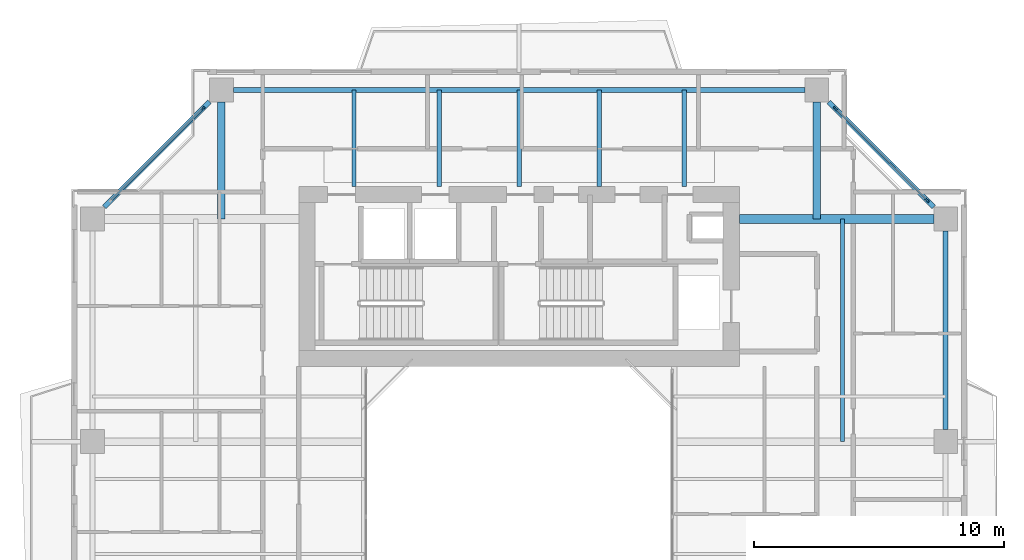
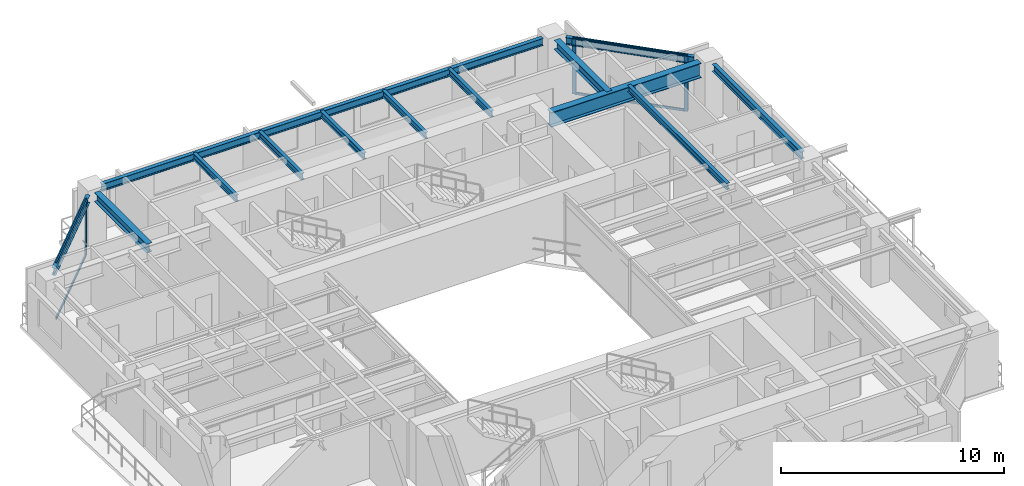
# One storey, part 9 of 18: 13 beams, 7 members, 2 elements without a shape of their own.
"""IFC4 building model written with IfcOpenShell, lengths in metres."""

import ifcopenshell
import ifcopenshell.guid

model = None  # the IFC model being written
_history = None  # IfcOwnerHistory: only IFC2X3 demands one
_inside = {}  # id of a spatial element -> (the spatial element, [elements in it])
_under = {}  # id of a project, library or spatial element -> (it, [spatial elements below it])
_declared = {}  # id of a project -> (the project, [libraries it declares])
_typed = {}  # id of a type object -> (the type object, [elements of that type])
_made_of = {}  # id of a material, layer set ... -> (it, [elements and type objects made of it])


def new_model(schema):
    """Start an empty IFC model of exactly this schema.

    Asked for "IFC4X3", IfcOpenShell would pick the latest addendum, in which some entities
    have other attributes; the version numbers below select the first issue.
    IFC2X3 requires an IfcOwnerHistory on every rooted entity: one is made here for all.
    """
    global model, _history
    if schema == "IFC4X3":
        model = ifcopenshell.file(schema_version=(4, 3, 0, 0))
    else:
        model = ifcopenshell.file(schema=schema)
    _inside.clear()
    _under.clear()
    _declared.clear()
    _typed.clear()
    _made_of.clear()
    _history = None
    if model.schema == "IFC2X3":
        org = make("IfcOrganization", Name="unknown")
        user = make(
            "IfcPersonAndOrganization",
            ThePerson=make("IfcPerson", FamilyName="unknown"),
            TheOrganization=org,
        )
        app = make(
            "IfcApplication",
            ApplicationDeveloper=org,
            Version="unknown",
            ApplicationFullName="unknown",
            ApplicationIdentifier="unknown",
        )
        _history = make(
            "IfcOwnerHistory",
            OwningUser=user,
            OwningApplication=app,
            ChangeAction="ADDED",
            CreationDate=0,
        )
    return model


def make(cls, **values):
    """One entity of the class cls with the attributes given. An attribute that is None is left unset."""
    return model.create_entity(
        cls, **{name: value for name, value in values.items() if value is not None}
    )


def rooted(cls, **values):
    """An entity with a GlobalId (a new one), such as an element, a storey or a relation."""
    return make(cls, GlobalId=ifcopenshell.guid.new(), OwnerHistory=_history, **values)


def si_unit(unit_type, name, prefix=None):
    """IfcSIUnit, for example si_unit("LENGTHUNIT", "METRE", prefix="MILLI")."""
    return make("IfcSIUnit", UnitType=unit_type, Prefix=prefix, Name=name)


def assignment(units):
    """IfcUnitAssignment: the units of a project."""
    return None if units is None else make("IfcUnitAssignment", Units=units)


def point(xyz):
    """IfcCartesianPoint."""
    return None if xyz is None else make("IfcCartesianPoint", Coordinates=xyz)


def direction(xyz):
    """IfcDirection."""
    return None if xyz is None else make("IfcDirection", DirectionRatios=xyz)


def frame(location, z_axis=None, x_axis=None):
    """IfcAxis2Placement3D, a coordinate frame: its origin and axes. An axis left out is left unset."""
    return make(
        "IfcAxis2Placement3D",
        Location=point(location),
        Axis=direction(z_axis),
        RefDirection=direction(x_axis),
    )


def frame_2d(location, x_axis=None):
    """IfcAxis2Placement2D, a coordinate frame in the plane: its origin and x axis."""
    return make(
        "IfcAxis2Placement2D", Location=point(location), RefDirection=direction(x_axis)
    )


def origin():
    """The frame at (0, 0, 0) with its axes left unset."""
    return frame((0.0, 0.0, 0.0))


def origin_2d():
    """The frame at (0, 0) in the plane with its x axis left unset."""
    return frame_2d((0.0, 0.0))


def place(relative_to, where):
    """IfcLocalPlacement: puts the frame where relative to a parent placement (None: the world)."""
    return make(
        "IfcLocalPlacement", PlacementRelTo=relative_to, RelativePlacement=where
    )


def context(
    kind, dimensions, precision=None, world=None, true_north=None, identifier=None
):
    """IfcGeometricRepresentationContext, for example the 3D "Model" context."""
    return make(
        "IfcGeometricRepresentationContext",
        ContextIdentifier=identifier,
        ContextType=kind,
        CoordinateSpaceDimension=dimensions,
        Precision=precision,
        WorldCoordinateSystem=world,
        TrueNorth=true_north,
    )


def subcontext(parent, identifier, kind, view, scale=None):
    """IfcGeometricRepresentationSubContext, for example "Body" below "Model"."""
    return make(
        "IfcGeometricRepresentationSubContext",
        ContextIdentifier=identifier,
        ContextType=kind,
        ParentContext=parent,
        TargetScale=scale,
        TargetView=view,
    )


def project(units=None, contexts=None):
    """IfcProject with its units and contexts."""
    return rooted(
        "IfcProject",
        Name="project",
        RepresentationContexts=contexts,
        UnitsInContext=assignment(units),
    )


def spatial(cls, under=None, at=None, **own):
    """A site, building, storey or space (cls), placed at a placement, below another one or the project."""
    s = rooted(cls, ObjectPlacement=at, **own)
    if under is not None:
        _under.setdefault(under.id(), (under, []))[1].append(s)
    return s


def profile(cls, at=None, kind="AREA", **sizes):
    """A parametric profile (cls). Its sizes go by their IFC names, for example OverallWidth=200.0."""
    return make(cls, ProfileType=kind, Position=at, **sizes)


def rectangle(**sizes):
    """IfcRectangleProfileDef."""
    return profile("IfcRectangleProfileDef", **sizes)


def i_section(**sizes):
    """IfcIShapeProfileDef."""
    return profile("IfcIShapeProfileDef", **sizes)


def extrude(swept, where, along, depth):
    """IfcExtrudedAreaSolid: the profile swept, set in the frame where, extruded along a direction by depth."""
    return make(
        "IfcExtrudedAreaSolid",
        SweptArea=swept,
        Position=where,
        ExtrudedDirection=direction(along),
        Depth=depth,
    )


def shape(context_of_items, identifier, shape_type, items):
    """IfcShapeRepresentation: the items that make up one representation, for example the "Body"."""
    return make(
        "IfcShapeRepresentation",
        ContextOfItems=context_of_items,
        RepresentationIdentifier=identifier,
        RepresentationType=shape_type,
        Items=items,
    )


def source(mapping_origin, context_of_items, identifier, shape_type, items):
    """IfcRepresentationMap: a shape defined once, which mapped items show again and again."""
    return make(
        "IfcRepresentationMap",
        MappingOrigin=mapping_origin,
        MappedRepresentation=shape(context_of_items, identifier, shape_type, items),
    )


def transform(
    local_origin,
    x_axis=None,
    y_axis=None,
    z_axis=None,
    scale=None,
    scale2=None,
    scale3=None,
    uniform=True,
):
    """IfcCartesianTransformationOperator3D, or its non-uniform kind. x_axis, y_axis, z_axis: its Axis1, 2, 3."""
    if uniform:
        return make(
            "IfcCartesianTransformationOperator3D",
            Axis1=direction(x_axis),
            Axis2=direction(y_axis),
            LocalOrigin=point(local_origin),
            Scale=scale,
            Axis3=direction(z_axis),
        )
    return make(
        "IfcCartesianTransformationOperator3DnonUniform",
        Axis1=direction(x_axis),
        Axis2=direction(y_axis),
        LocalOrigin=point(local_origin),
        Scale=scale,
        Axis3=direction(z_axis),
        Scale2=scale2,
        Scale3=scale3,
    )


def mapped(mapping_source, mapping_target):
    """IfcMappedItem: shows the shape of a source again, moved by a transform."""
    return make(
        "IfcMappedItem", MappingSource=mapping_source, MappingTarget=mapping_target
    )


def material(Name=None, Category=None):
    """IfcMaterial."""
    return make("IfcMaterial", Name=Name, Category=Category)


def layer(
    of_material, thickness, ventilated=None, Name=None, Category=None, Priority=None
):
    """IfcMaterialLayer: one layer of a wall or slab, of a material (None: an air gap)."""
    return make(
        "IfcMaterialLayer",
        Material=of_material,
        LayerThickness=thickness,
        IsVentilated=ventilated,
        Name=Name,
        Category=Category,
        Priority=Priority,
    )


def layer_set(layers, Name=None):
    """IfcMaterialLayerSet."""
    return make("IfcMaterialLayerSet", MaterialLayers=layers, LayerSetName=Name)


def material_profile(
    of_material, cross_section, Name=None, Category=None, Priority=None
):
    """IfcMaterialProfile: a cross section and its material."""
    return make(
        "IfcMaterialProfile",
        Name=Name,
        Material=of_material,
        Profile=cross_section,
        Priority=Priority,
        Category=Category,
    )


def profile_set(profiles, Name=None, composite=None):
    """IfcMaterialProfileSet."""
    return make(
        "IfcMaterialProfileSet",
        Name=Name,
        MaterialProfiles=profiles,
        CompositeProfile=composite,
    )


def made_of(thing, what):
    """Note that an element or type object is made of a material, layer set ...; save() writes the relation."""
    if what is not None:
        _made_of.setdefault(what.id(), (what, []))[1].append(thing)
    return thing


def type_object(cls, material=None, **own):
    """A type object (cls), such as IfcWallType, which elements share."""
    return made_of(rooted(cls, **own), material)


def element(
    cls,
    number,
    at=None,
    inside=None,
    cuts=None,
    type_object=None,
    material=None,
    context=None,
    identifier="Body",
    shape_type=None,
    held_by="IfcProductDefinitionShape",
    body=None,
    shapes=None,
    **own,
):
    """One element of the class cls, such as IfcWall. Its Tag is "e" and its number.

    at: its placement. inside: the storey or other place that contains it. cuts: it is an
    opening in that element (IfcRelVoidsElement). A single representation is given by context,
    identifier, shape_type and body (its items); several are given by shapes. held_by: the class
    of the entity that holds the representations. save() writes the other relations.
    """
    e = rooted(cls, Tag="e%d" % number, ObjectPlacement=at, **own)
    if body is not None:
        shapes = [shape(context, identifier, shape_type, body)]
    if shapes is not None:
        e.Representation = make(held_by, Representations=shapes)
    if inside is not None:
        _inside.setdefault(inside.id(), (inside, []))[1].append(e)
    if cuts is not None:
        rooted(
            "IfcRelVoidsElement", RelatingBuildingElement=cuts, RelatedOpeningElement=e
        )
    if type_object is not None:
        _typed.setdefault(type_object.id(), (type_object, []))[1].append(e)
    return made_of(e, material)


def aggregate(whole, parts):
    """IfcRelAggregates: a whole, such as a stair, and the parts it consists of."""
    return rooted("IfcRelAggregates", RelatingObject=whole, RelatedObjects=parts)


def save(model, path):
    """Write the relations noted so far, then the file.

    IfcRelAggregates (storeys below a building ...), IfcRelContainedInSpatialStructure (elements
    in a storey), IfcRelDefinesByType, IfcRelAssociatesMaterial and IfcRelDeclares: one each for
    every whole, place, type object, material and project.
    """
    for whole, parts in _under.values():
        aggregate(whole, parts)
    for where, things in _inside.values():
        rooted(
            "IfcRelContainedInSpatialStructure",
            RelatedElements=things,
            RelatingStructure=where,
        )
    for kind, things in _typed.values():
        rooted("IfcRelDefinesByType", RelatedObjects=things, RelatingType=kind)
    for what, things in _made_of.values():
        rooted("IfcRelAssociatesMaterial", RelatedObjects=things, RelatingMaterial=what)
    for by, libraries in _declared.values():
        rooted("IfcRelDeclares", RelatingContext=by, RelatedDefinitions=libraries)
    model.write(path)


model = new_model("IFC4")

# Units and contexts
model_context = context("Model", 3, precision=1e-05, world=origin(), true_north=direction((0.0, 1.0)))
body_context = subcontext(model_context, "Body", "Model", "MODEL_VIEW")
ifc_project = project(units=[si_unit("LENGTHUNIT", "METRE"), si_unit("AREAUNIT", "SQUARE_METRE"), si_unit("VOLUMEUNIT", "CUBIC_METRE"), si_unit("PLANEANGLEUNIT", "RADIAN"), si_unit("MASSUNIT", "GRAM", prefix="KILO"), si_unit("THERMODYNAMICTEMPERATUREUNIT", "KELVIN"), si_unit("POWERUNIT", "WATT")], contexts=[model_context])

# Site, building, storey
site_placement = place(None, origin())
site = spatial("IfcSite", under=ifc_project, at=site_placement, CompositionType="ELEMENT")
building_placement = place(site_placement, origin())
building = spatial("IfcBuilding", under=site, at=building_placement, Name="Qiaomeng Ring Towers", CompositionType="ELEMENT")
storey_placement = place(building_placement, frame((0.0, 0.0, 147.0)))
storey = spatial("IfcBuildingStorey", under=building, at=storey_placement, Name="L42", CompositionType="ELEMENT", Elevation=147.0)

# Beams
ifc_material_1 = material(Name="Steel Q355B", Category="steel")
ifc_material_profile_1 = material_profile(ifc_material_1, i_section(OverallWidth=0.175048828125, OverallDepth=0.35009765625, WebThickness=0.007080078125, FlangeThickness=0.010986328125, FilletRadius=0.013916015625, at=origin_2d()), Name="HN 350x175x7x11")
ifc_profile_set_1 = profile_set([ifc_material_profile_1], Name="Steel Q355B")
beam_type_1 = type_object("IfcBeamType", Name="STR-BM-HN350", PredefinedType="JOIST", material=ifc_profile_set_1)
shared_shape_1 = source(origin(), body_context, "Body", "SweptSolid", [
    extrude(i_section(OverallWidth=0.175048828125, OverallDepth=0.35009765625, WebThickness=0.007080078125, FlangeThickness=0.010986328125, FilletRadius=0.013916015625, at=origin_2d()), origin(), (0.0, 0.0, 1.0), 3.85009765625),
])
for number, where, z_axis, x_axis, name in (
    (1, (12.39990234375, 36.199951171875, 2.89501953125), (0.0, 1.0, 0.0), (-1.0, 0.0, 0.0), "L42 beam STR-JST-L42-T1N-1"),
    (2, (15.800048828125, 36.199951171875, 2.89501953125), (0.0, 1.0, 0.0), (-1.0, 0.0, 0.0), "L42 beam STR-JST-L42-T1N-2"),
    (3, (19.0, 36.199951171875, 2.89501953125), (0.0, 1.0, 0.0), (-1.0, 0.0, 0.0), "L42 beam STR-JST-L42-T1N-3"),
    (4, (22.199951171875, 36.199951171875, 2.89501953125), (0.0, 1.0, 0.0), (-1.0, 0.0, 0.0), "L42 beam STR-JST-L42-T1N-4"),
    (5, (25.60009765625, 36.199951171875, 2.89501953125), (0.0, 1.0, 0.0), (-1.0, 0.0, 0.0), "L42 beam STR-JST-L42-T1N-5"),
):
    element("IfcBeam", number, at=place(storey_placement, frame(where, z_axis=z_axis, x_axis=x_axis)), inside=storey, type_object=beam_type_1, Name=name, PredefinedType="JOIST", context=body_context, shape_type="MappedRepresentation", body=[
        mapped(shared_shape_1, transform((0.0, 0.0, 0.0), x_axis=(1.0, 0.0, 0.0), y_axis=(0.0, 1.0, 0.0), z_axis=(0.0, 0.0, 1.0), scale=1.0)),
    ])
shared_shape_2 = source(origin(), body_context, "Body", "SweptSolid", [
    extrude(i_section(OverallWidth=0.175048828125, OverallDepth=0.35009765625, WebThickness=0.007080078125, FlangeThickness=0.010986328125, FilletRadius=0.013916015625, at=origin_2d()), origin(), (0.0, 0.0, 1.0), 8.89990234375),
])
beam_1_placement = place(storey_placement, frame((31.925048828125, 26.0, 2.89501953125), z_axis=(0.0, 1.0, 0.0), x_axis=(-1.0, 0.0, 0.0)))
element("IfcBeam", 6, at=beam_1_placement, inside=storey, type_object=beam_type_1, Name="L42 beam STR-JST-L42-T1C-EN", PredefinedType="JOIST", context=body_context, shape_type="MappedRepresentation", body=[
    mapped(shared_shape_2, transform((0.0, 0.0, 0.0), x_axis=(1.0, 0.0, 0.0), y_axis=(0.0, 1.0, 0.0), z_axis=(0.0, 0.0, 1.0), scale=1.0)),
])
ifc_material_profile_2 = material_profile(ifc_material_1, i_section(OverallWidth=0.199951171875, OverallDepth=0.39990234375, WebThickness=0.008056640625, FlangeThickness=0.012939453125, FilletRadius=0.01611328125, at=origin_2d()), Name="HN 400x200x8x13")
ifc_profile_set_2 = profile_set([ifc_material_profile_2], Name="Steel Q355B")
beam_type_2 = type_object("IfcBeamType", Name="STR-BM-HN400", PredefinedType="SPANDREL", material=ifc_profile_set_2)
shared_shape_3 = source(origin(), body_context, "Body", "SweptSolid", [
    extrude(i_section(OverallWidth=0.199951171875, OverallDepth=0.39990234375, WebThickness=0.008056640625, FlangeThickness=0.012939453125, FilletRadius=0.01611328125, at=origin_2d()), origin(), (0.0, 0.0, 1.0), 22.85205078125),
])
beam_2_placement = place(storey_placement, frame((30.426025390625, 40.050048828125, 2.8701171875), z_axis=(-1.0, 0.0, 0.0), x_axis=(0.0, -1.0, 0.0)))
element("IfcBeam", 7, at=beam_2_placement, inside=storey, type_object=beam_type_2, Name="L42 beam STR-SP-L42-T1-N2-N1", PredefinedType="SPANDREL", context=body_context, shape_type="MappedRepresentation", body=[
    mapped(shared_shape_3, transform((0.0, 0.0, 0.0), x_axis=(1.0, 0.0, 0.0), y_axis=(0.0, 1.0, 0.0), z_axis=(0.0, 0.0, 1.0), scale=1.0)),
])
shared_shape_4 = source(origin(), body_context, "Body", "SweptSolid", [
    extrude(i_section(OverallWidth=0.199951171875, OverallDepth=0.39990234375, WebThickness=0.008056640625, FlangeThickness=0.012939453125, FilletRadius=0.01611328125, at=origin_2d()), origin(), (0.0, 0.0, 1.0), 5.941650390625),
])
for number, where, z_axis, x_axis, name in (
    (8, (35.57568359375, 35.374267578125, 2.8701171875), (-0.707106781187, 0.707106781187, 0.0), (-0.707106781187, -0.707106781187, 0.0), "L42 beam STR-SP-L42-T1-E4-N2"),
    (9, (6.625732421875, 39.57568359375, 2.8701171875), (-0.707106781187, -0.707106781187, 0.0), (0.707106781187, -0.707106781187, 0.0), "L42 beam STR-SP-L42-T1-N1-W4"),
):
    element("IfcBeam", number, at=place(storey_placement, frame(where, z_axis=z_axis, x_axis=x_axis)), inside=storey, type_object=beam_type_2, Name=name, PredefinedType="SPANDREL", context=body_context, shape_type="MappedRepresentation", body=[
        mapped(shared_shape_4, transform((0.0, 0.0, 0.0), x_axis=(1.0, 0.0, 0.0), y_axis=(0.0, 1.0, 0.0), z_axis=(0.0, 0.0, 1.0), scale=1.0)),
    ])
shared_shape_5 = source(origin(), body_context, "Body", "SweptSolid", [
    extrude(i_section(OverallWidth=0.199951171875, OverallDepth=0.39990234375, WebThickness=0.008056640625, FlangeThickness=0.012939453125, FilletRadius=0.01611328125, at=origin_2d()), origin(), (0.0, 0.0, 1.0), 7.951904296875),
])
beam_3_placement = place(storey_placement, frame((36.050048828125, 26.47412109375, 2.8701171875), z_axis=(0.0, 1.0, 0.0), x_axis=(-1.0, 0.0, 0.0)))
element("IfcBeam", 10, at=beam_3_placement, inside=storey, type_object=beam_type_2, Name="L42 beam STR-SP-L42-T1-E3-E4", PredefinedType="SPANDREL", context=body_context, shape_type="MappedRepresentation", body=[
    mapped(shared_shape_5, transform((0.0, 0.0, 0.0), x_axis=(1.0, 0.0, 0.0), y_axis=(0.0, 1.0, 0.0), z_axis=(0.0, 0.0, 1.0), scale=1.0)),
])
ifc_material_2 = material(Name="Steel Q390GJC", Category="steel")
ifc_material_profile_3 = material_profile(ifc_material_2, i_section(OverallWidth=0.35009765625, OverallDepth=0.800048828125, WebThickness=0.01611328125, FlangeThickness=0.028076171875, at=origin_2d()), Name="WH 800x350x16x28")
ifc_profile_set_3 = profile_set([ifc_material_profile_3], Name="Steel Q390GJC")
beam_type_3 = type_object("IfcBeamType", Name="STR-BM-WH800", PredefinedType="BEAM", material=ifc_profile_set_3)
shared_shape_6 = source(origin(), body_context, "Body", "SweptSolid", [
    extrude(i_section(OverallWidth=0.35009765625, OverallDepth=0.800048828125, WebThickness=0.01611328125, FlangeThickness=0.028076171875, at=origin_2d()), origin(), (0.0, 0.0, 1.0), 7.77587890625),
])
beam_4_placement = place(storey_placement, frame((27.800048828125, 34.89990234375, 2.669921875), z_axis=(1.0, 0.0, 0.0), x_axis=(0.0, 1.0, 0.0)))
element("IfcBeam", 11, at=beam_4_placement, inside=storey, type_object=beam_type_3, Name="L42 beam STR-BM-L42-T1-RAD-E4", PredefinedType="BEAM", context=body_context, shape_type="MappedRepresentation", body=[
    mapped(shared_shape_6, transform((0.0, 0.0, 0.0), x_axis=(1.0, 0.0, 0.0), y_axis=(0.0, 1.0, 0.0), z_axis=(0.0, 0.0, 1.0), scale=1.0)),
])
ifc_material_profile_4 = material_profile(ifc_material_1, i_section(OverallWidth=0.300048828125, OverallDepth=0.488037109375, WebThickness=0.010986328125, FlangeThickness=0.01806640625, FilletRadius=0.02587890625, at=origin_2d()), Name="HM 488x300x11x18")
ifc_profile_set_4 = profile_set([ifc_material_profile_4], Name="Steel Q355B")
beam_type_4 = type_object("IfcBeamType", Name="STR-BM-HM488", PredefinedType="BEAM", material=ifc_profile_set_4)
shared_shape_7 = source(origin(), body_context, "Body", "SweptSolid", [
    extrude(i_section(OverallWidth=0.300048828125, OverallDepth=0.488037109375, WebThickness=0.010986328125, FlangeThickness=0.01806640625, FilletRadius=0.02587890625, at=origin_2d()), origin(), (0.0, 0.0, 1.0), 4.676025390625),
])
for number, where, z_axis, x_axis, name in (
    (12, (7.10009765625, 39.575927734375, 2.825927734375), (0.0, -1.0, 0.0), (1.0, 0.0, 0.0), "L42 beam STR-BM-L42-T1-RAD-N1"),
    (13, (30.89990234375, 39.575927734375, 2.825927734375), (0.0, -1.0, 0.0), (1.0, 0.0, 0.0), "L42 beam STR-BM-L42-T1-RAD-N2"),
):
    element("IfcBeam", number, at=place(storey_placement, frame(where, z_axis=z_axis, x_axis=x_axis)), inside=storey, type_object=beam_type_4, Name=name, PredefinedType="BEAM", context=body_context, shape_type="MappedRepresentation", body=[
        mapped(shared_shape_7, transform((0.0, 0.0, 0.0), x_axis=(1.0, 0.0, 0.0), y_axis=(0.0, 1.0, 0.0), z_axis=(0.0, 0.0, 1.0), scale=1.0)),
    ])

# Curtain wall, members
ifc_material_3 = material(Name="Fluorocarbon dark-grey aluminium", Category="aluminium")
ifc_layer = layer(ifc_material_3, 0.14990234375, Name="Fluorocarbon dark-grey aluminium")
ifc_layer_set = layer_set([ifc_layer], Name="Fluorocarbon dark-grey aluminium")
curtain_wall_type = type_object("IfcCurtainWallType", Name="ARC-CW-3", PredefinedType="NOTDEFINED", material=ifc_layer_set)
curtain_wall_1_placement = place(storey_placement, origin())
curtain_wall_1 = element("IfcCurtainWall", 14, at=curtain_wall_1_placement, inside=storey, type_object=curtain_wall_type, Name="L42 Curtain Wall CW3", PredefinedType="NOTDEFINED")
ifc_material_profile_5 = material_profile(ifc_material_3, rectangle(XDim=0.070068359375, YDim=0.179931640625, at=origin_2d()), Name="ALU MULL 70x180")
ifc_profile_set_5 = profile_set([ifc_material_profile_5], Name="Fluorocarbon dark-grey aluminium")
member_type_1 = type_object("IfcMemberType", Name="ARC-CWM-160", PredefinedType="MULLION", material=ifc_profile_set_5)
shared_shape_8 = source(origin(), body_context, "Body", "SweptSolid", [
    extrude(rectangle(XDim=0.070068359375, YDim=0.179931640625, at=origin_2d()), origin(), (0.0, 0.0, 1.0), 3.070068359375),
])
member_1_placement = place(storey_placement, frame((35.310302734375, 35.6396484375, 0.0), z_axis=(0.0, 0.0, 1.0), x_axis=(-0.707106781187, -0.707106781187, 0.0)))
member_1 = element("IfcMember", 15, at=member_1_placement, type_object=member_type_1, Name="CW3 mullion 1", PredefinedType="MULLION", context=body_context, shape_type="MappedRepresentation", body=[
    mapped(shared_shape_8, transform((0.0, 0.0, 0.0), x_axis=(1.0, 0.0, 0.0), y_axis=(0.0, 1.0, 0.0), z_axis=(0.0, 0.0, 1.0), scale=1.0)),
])
member_2_placement = place(storey_placement, frame((31.6396484375, 39.310302734375, 0.0), z_axis=(0.0, 0.0, 1.0), x_axis=(-0.707106781187, -0.707106781187, 0.0)))
member_2 = element("IfcMember", 16, at=member_2_placement, type_object=member_type_1, Name="CW3 mullion 2", PredefinedType="MULLION", context=body_context, shape_type="MappedRepresentation", body=[
    mapped(shared_shape_8, transform((0.0, 0.0, 0.0), x_axis=(1.0, 0.0, 0.0), y_axis=(0.0, 1.0, 0.0), z_axis=(0.0, 0.0, 1.0), scale=1.0)),
])

# Curtain wall, member
curtain_wall_2_placement = place(storey_placement, origin())
curtain_wall_2 = element("IfcCurtainWall", 17, at=curtain_wall_2_placement, inside=storey, type_object=curtain_wall_type, Name="L42 Curtain Wall CW3", PredefinedType="NOTDEFINED")
member_3_placement = place(storey_placement, frame((6.3603515625, 39.310302734375, 0.0), z_axis=(0.0, 0.0, 1.0), x_axis=(0.707106781187, -0.707106781187, 0.0)))
member_3 = element("IfcMember", 18, at=member_3_placement, type_object=member_type_1, Name="CW3 mullion 1", PredefinedType="MULLION", context=body_context, shape_type="MappedRepresentation", body=[
    mapped(shared_shape_8, transform((0.0, 0.0, 0.0), x_axis=(1.0, 0.0, 0.0), y_axis=(0.0, 1.0, 0.0), z_axis=(0.0, 0.0, 1.0), scale=1.0)),
])

# Member
ifc_material_profile_6 = material_profile(ifc_material_3, rectangle(XDim=0.06494140625, YDim=0.1298828125, at=origin_2d()), Name="ALU TRAN 65x130")
ifc_profile_set_6 = profile_set([ifc_material_profile_6], Name="Fluorocarbon dark-grey aluminium")
member_type_2 = type_object("IfcMemberType", Name="ARC-CWT-120", PredefinedType="USERDEFINED", material=ifc_profile_set_6)
shared_shape_9 = source(origin(), body_context, "Body", "SweptSolid", [
    extrude(rectangle(XDim=0.06494140625, YDim=0.1298828125, at=origin_2d()), origin(), (0.0, 0.0, 1.0), 5.12060546875),
])
member_4_placement = place(storey_placement, frame((35.285400390625, 35.66455078125, 0.032470703125), z_axis=(-0.707106781187, 0.707106781187, 0.0), x_axis=(-0.707106781187, -0.707106781187, 0.0)))
member_4 = element("IfcMember", 19, at=member_4_placement, type_object=member_type_2, Name="CW3 transom 1.1", ObjectType="TRANSOM", PredefinedType="USERDEFINED", context=body_context, shape_type="MappedRepresentation", body=[
    mapped(shared_shape_9, transform((0.0, 0.0, 0.0), x_axis=(1.0, 0.0, 0.0), y_axis=(0.0, 1.0, 0.0), z_axis=(0.0, 0.0, 1.0), scale=1.0)),
])

member_5_placement = place(storey_placement, frame((35.285400390625, 35.66455078125, 3.03759765625), z_axis=(-0.707106781187, 0.707106781187, 0.0), x_axis=(-0.707106781187, -0.707106781187, 0.0)))
member_5 = element("IfcMember", 20, at=member_5_placement, type_object=member_type_2, Name="CW3 transom 1.2", ObjectType="TRANSOM", PredefinedType="USERDEFINED", context=body_context, shape_type="MappedRepresentation", body=[
    mapped(shared_shape_9, transform((0.0, 0.0, 0.0), x_axis=(1.0, 0.0, 0.0), y_axis=(0.0, 1.0, 0.0), z_axis=(0.0, 0.0, 1.0), scale=1.0)),
])

aggregate(curtain_wall_1, [member_1, member_2, member_4, member_5])

member_6_placement = place(storey_placement, frame((6.33544921875, 39.285400390625, 0.032470703125), z_axis=(-0.707106781187, -0.707106781187, 0.0), x_axis=(0.707106781187, -0.707106781187, 0.0)))
member_6 = element("IfcMember", 21, at=member_6_placement, type_object=member_type_2, Name="CW3 transom 1.1", ObjectType="TRANSOM", PredefinedType="USERDEFINED", context=body_context, shape_type="MappedRepresentation", body=[
    mapped(shared_shape_9, transform((0.0, 0.0, 0.0), x_axis=(1.0, 0.0, 0.0), y_axis=(0.0, 1.0, 0.0), z_axis=(0.0, 0.0, 1.0), scale=1.0)),
])

member_7_placement = place(storey_placement, frame((6.33544921875, 39.285400390625, 3.03759765625), z_axis=(-0.707106781187, -0.707106781187, 0.0), x_axis=(0.707106781187, -0.707106781187, 0.0)))
member_7 = element("IfcMember", 22, at=member_7_placement, type_object=member_type_2, Name="CW3 transom 1.2", ObjectType="TRANSOM", PredefinedType="USERDEFINED", context=body_context, shape_type="MappedRepresentation", body=[
    mapped(shared_shape_9, transform((0.0, 0.0, 0.0), x_axis=(1.0, 0.0, 0.0), y_axis=(0.0, 1.0, 0.0), z_axis=(0.0, 0.0, 1.0), scale=1.0)),
])

aggregate(curtain_wall_2, [member_3, member_6, member_7])

save(model, "model.ifc")
